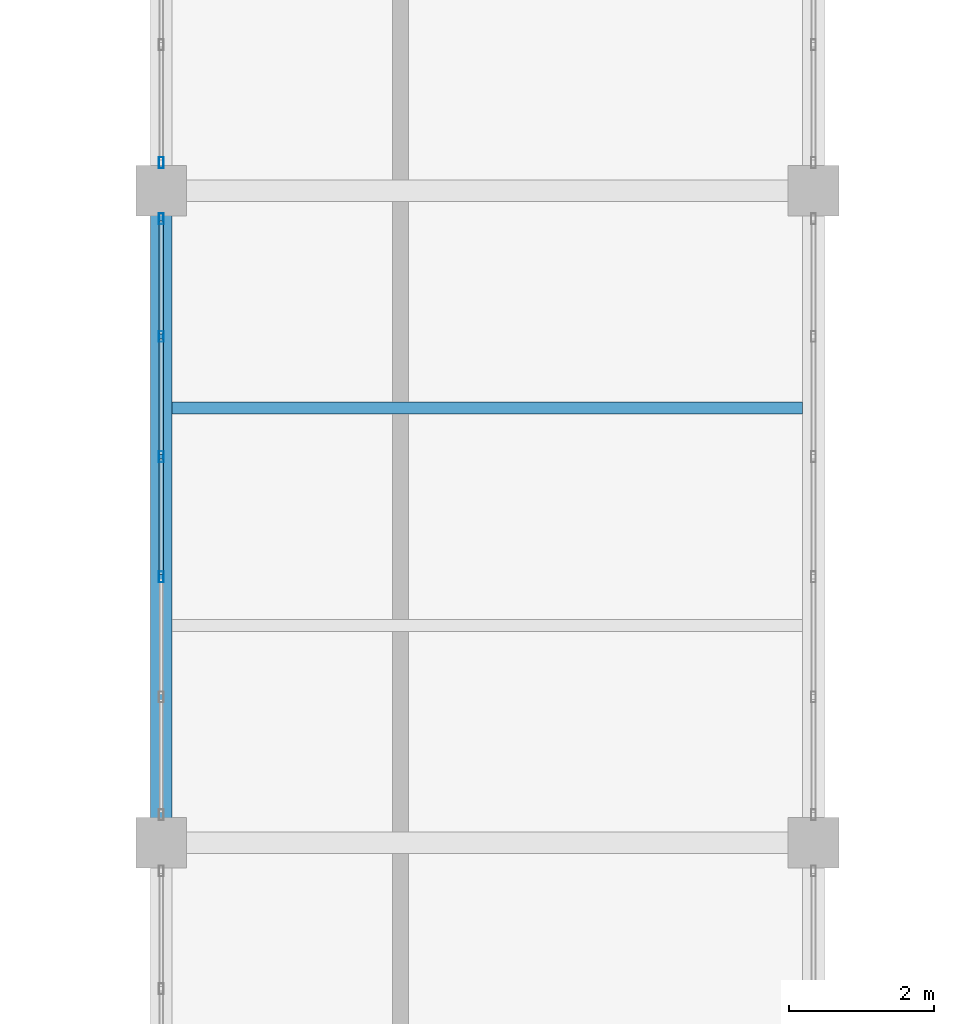
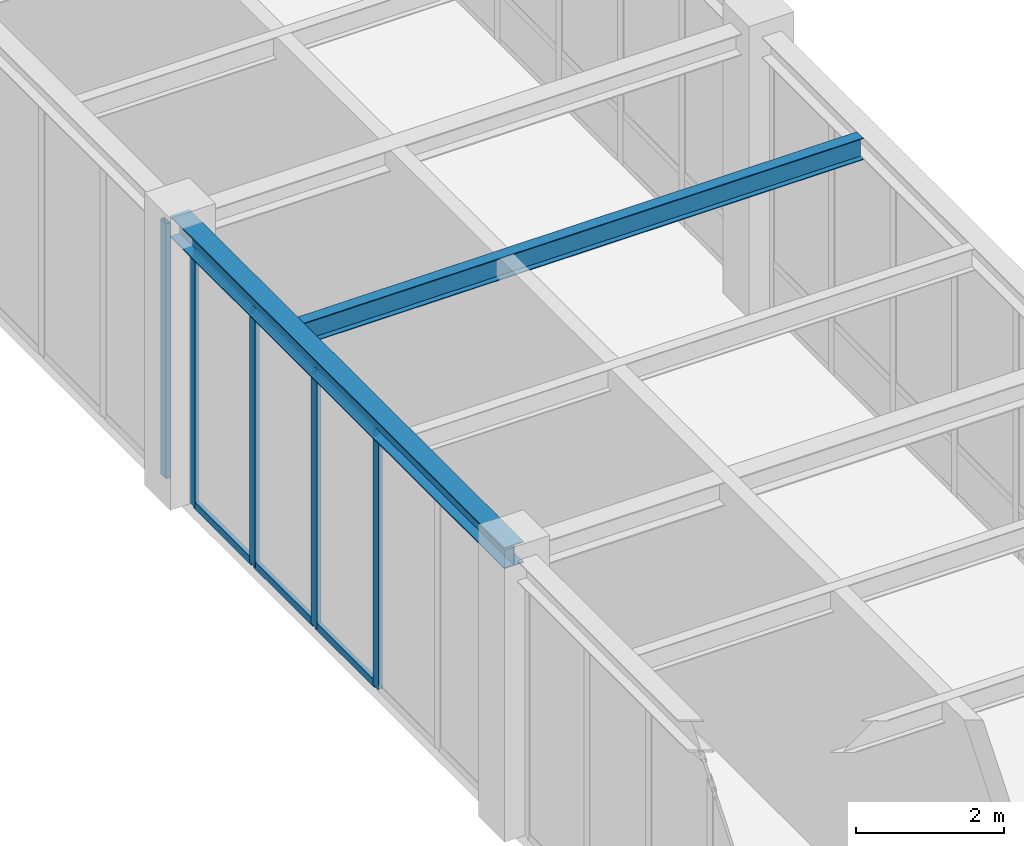
# One storey, part 46 of 92: 11 members, 2 beams, 2 elements without a shape of their own.
"""IFC4 building model written with IfcOpenShell, lengths in metres."""

from ifc_helpers import new_model, si_unit, direction, frame, origin, origin_2d, place, context, subcontext, project, spatial, hollow_rectangle, i_section, extrude, material, material_profile, profile_set, type_object, element, aggregate, save


model = new_model("IFC4")

# Units and contexts
model_context = context("Model", 3, precision=1e-05, world=origin(), true_north=direction((0.0, 1.0)))
body_context = subcontext(model_context, "Body", "Model", "MODEL_VIEW")
ifc_project = project(units=[si_unit("LENGTHUNIT", "METRE"), si_unit("AREAUNIT", "SQUARE_METRE"), si_unit("VOLUMEUNIT", "CUBIC_METRE"), si_unit("PLANEANGLEUNIT", "RADIAN"), si_unit("MASSUNIT", "GRAM", prefix="KILO")], contexts=[model_context])

# Site, building, storey
site_placement = place(None, origin())
site = spatial("IfcSite", under=ifc_project, at=site_placement, CompositionType="ELEMENT")
building_placement = place(site_placement, origin())
building = spatial("IfcBuilding", under=site, at=building_placement, Name="Lykobir Media Centre", CompositionType="ELEMENT")
storey_placement = place(building_placement, frame((0.0, 0.0, 5.39990234375)))
storey = spatial("IfcBuildingStorey", under=building, at=storey_placement, Name="L01", CompositionType="ELEMENT", Elevation=5.39990234375)

# Curtain wall, members
ifc_material_1 = material(Name="Anodized Aluminium AW-6060", Category="aluminium")
curtain_wall_type = type_object("IfcCurtainWallType", Name="CW-BRIDGE", PredefinedType="NOTDEFINED", material=ifc_material_1)
curtain_wall_1_placement = place(storey_placement, origin())
curtain_wall_1 = element("IfcCurtainWall", 1, at=curtain_wall_1_placement, inside=storey, type_object=curtain_wall_type, Name="Curtain wall CW2-L01-0039", PredefinedType="NOTDEFINED")
ifc_material_profile_1 = material_profile(ifc_material_1, hollow_rectangle(XDim=0.06494140625, YDim=0.14990234375, WallThickness=0.00341796875, at=origin_2d()), Name="ALU MULLION 65x150")
ifc_profile_set_1 = profile_set([ifc_material_profile_1], Name="Anodized Aluminium AW-6060")
member_type_1 = type_object("IfcMemberType", Name="CWM-150", PredefinedType="MULLION", material=ifc_profile_set_1)
member_1_placement = place(storey_placement, frame((90.0, 39.6708984375, 0.0), z_axis=(0.0, 0.0, 1.0), x_axis=(-1.0, 0.0, 0.0)))
member_1 = element("IfcMember", 2, at=member_1_placement, type_object=member_type_1, Name="CW2-L01-0039 mullion 3", PredefinedType="MULLION", context=body_context, shape_type="SweptSolid", body=[
    extrude(hollow_rectangle(XDim=0.06494140625, YDim=0.14990234375, WallThickness=0.00341796875, at=origin_2d()), origin(), (0.0, 0.0, 1.0), 4.195068359375),
])
member_2_placement = place(storey_placement, frame((90.0, 41.3291015625, 0.0), z_axis=(0.0, 0.0, 1.0), x_axis=(-1.0, 0.0, 0.0)))
member_2 = element("IfcMember", 3, at=member_2_placement, type_object=member_type_1, Name="CW2-L01-0039 mullion 4", PredefinedType="MULLION", context=body_context, shape_type="SweptSolid", body=[
    extrude(hollow_rectangle(XDim=0.06494140625, YDim=0.14990234375, WallThickness=0.00341796875, at=origin_2d()), origin(), (0.0, 0.0, 1.0), 4.195068359375),
])
member_3_placement = place(storey_placement, frame((90.0, 42.987060546875, 0.0), z_axis=(0.0, 0.0, 1.0), x_axis=(-1.0, 0.0, 0.0)))
member_3 = element("IfcMember", 4, at=member_3_placement, type_object=member_type_1, Name="CW2-L01-0039 mullion 5", PredefinedType="MULLION", context=body_context, shape_type="SweptSolid", body=[
    extrude(hollow_rectangle(XDim=0.06494140625, YDim=0.14990234375, WallThickness=0.00341796875, at=origin_2d()), origin(), (0.0, 0.0, 1.0), 4.195068359375),
])
member_4_placement = place(storey_placement, frame((90.0, 44.612548828125, 0.0), z_axis=(0.0, 0.0, 1.0), x_axis=(-1.0, 0.0, 0.0)))
member_4 = element("IfcMember", 5, at=member_4_placement, type_object=member_type_1, Name="CW2-L01-0039 mullion 6", PredefinedType="MULLION", context=body_context, shape_type="SweptSolid", body=[
    extrude(hollow_rectangle(XDim=0.06494140625, YDim=0.14990234375, WallThickness=0.00341796875, at=origin_2d()), origin(), (0.0, 0.0, 1.0), 4.195068359375),
])

# Curtain wall, member
curtain_wall_2_placement = place(storey_placement, origin())
curtain_wall_2 = element("IfcCurtainWall", 6, at=curtain_wall_2_placement, inside=storey, type_object=curtain_wall_type, Name="Curtain wall CW2-L01-0040", PredefinedType="NOTDEFINED")
member_5_placement = place(storey_placement, frame((90.0, 45.387451171875, 0.0), z_axis=(0.0, 0.0, 1.0), x_axis=(-1.0, 0.0, 0.0)))
member_5 = element("IfcMember", 7, at=member_5_placement, type_object=member_type_1, Name="CW2-L01-0040 mullion 1", PredefinedType="MULLION", context=body_context, shape_type="SweptSolid", body=[
    extrude(hollow_rectangle(XDim=0.06494140625, YDim=0.14990234375, WallThickness=0.00341796875, at=origin_2d()), origin(), (0.0, 0.0, 1.0), 4.195068359375),
])
aggregate(curtain_wall_2, [member_5])

# Member
ifc_material_profile_2 = material_profile(ifc_material_1, hollow_rectangle(XDim=0.06494140625, YDim=0.1201171875, WallThickness=0.0029296875, at=origin_2d()), Name="ALU TRANSOM 65x120")
ifc_profile_set_2 = profile_set([ifc_material_profile_2], Name="Anodized Aluminium AW-6060")
member_type_2 = type_object("IfcMemberType", Name="CWT-120", PredefinedType="USERDEFINED", material=ifc_profile_set_2)
member_6_placement = place(storey_placement, frame((90.0, 39.70361328125, 0.03271484375), z_axis=(0.0, 1.0, 0.0), x_axis=(-1.0, 0.0, 0.0)))
member_6 = element("IfcMember", 8, at=member_6_placement, type_object=member_type_2, Name="CW2-L01-0039 transom 3.1", ObjectType="TRANSOM", PredefinedType="USERDEFINED", context=body_context, shape_type="SweptSolid", body=[
    extrude(hollow_rectangle(XDim=0.06494140625, YDim=0.1201171875, WallThickness=0.0029296875, at=origin_2d()), origin(), (0.0, 0.0, 1.0), 1.5927734375),
])

member_7_placement = place(storey_placement, frame((90.0, 39.70361328125, 4.16259765625), z_axis=(0.0, 1.0, 0.0), x_axis=(-1.0, 0.0, 0.0)))
member_7 = element("IfcMember", 9, at=member_7_placement, type_object=member_type_2, Name="CW2-L01-0039 transom 3.2", ObjectType="TRANSOM", PredefinedType="USERDEFINED", context=body_context, shape_type="SweptSolid", body=[
    extrude(hollow_rectangle(XDim=0.06494140625, YDim=0.1201171875, WallThickness=0.0029296875, at=origin_2d()), origin(), (0.0, 0.0, 1.0), 1.5927734375),
])

member_8_placement = place(storey_placement, frame((90.0, 41.361572265625, 0.03271484375), z_axis=(0.0, 1.0, 0.0), x_axis=(-1.0, 0.0, 0.0)))
member_8 = element("IfcMember", 10, at=member_8_placement, type_object=member_type_2, Name="CW2-L01-0039 transom 4.1", ObjectType="TRANSOM", PredefinedType="USERDEFINED", context=body_context, shape_type="SweptSolid", body=[
    extrude(hollow_rectangle(XDim=0.06494140625, YDim=0.1201171875, WallThickness=0.0029296875, at=origin_2d()), origin(), (0.0, 0.0, 1.0), 1.593017578125),
])

member_9_placement = place(storey_placement, frame((90.0, 41.361572265625, 4.16259765625), z_axis=(0.0, 1.0, 0.0), x_axis=(-1.0, 0.0, 0.0)))
member_9 = element("IfcMember", 11, at=member_9_placement, type_object=member_type_2, Name="CW2-L01-0039 transom 4.2", ObjectType="TRANSOM", PredefinedType="USERDEFINED", context=body_context, shape_type="SweptSolid", body=[
    extrude(hollow_rectangle(XDim=0.06494140625, YDim=0.1201171875, WallThickness=0.0029296875, at=origin_2d()), origin(), (0.0, 0.0, 1.0), 1.593017578125),
])

member_10_placement = place(storey_placement, frame((90.0, 43.01953125, 0.03271484375), z_axis=(0.0, 1.0, 0.0), x_axis=(-1.0, 0.0, 0.0)))
member_10 = element("IfcMember", 12, at=member_10_placement, type_object=member_type_2, Name="CW2-L01-0039 transom 5.1", ObjectType="TRANSOM", PredefinedType="USERDEFINED", context=body_context, shape_type="SweptSolid", body=[
    extrude(hollow_rectangle(XDim=0.06494140625, YDim=0.1201171875, WallThickness=0.0029296875, at=origin_2d()), origin(), (0.0, 0.0, 1.0), 1.560546875),
])

member_11_placement = place(storey_placement, frame((90.0, 43.01953125, 4.16259765625), z_axis=(0.0, 1.0, 0.0), x_axis=(-1.0, 0.0, 0.0)))
member_11 = element("IfcMember", 13, at=member_11_placement, type_object=member_type_2, Name="CW2-L01-0039 transom 5.2", ObjectType="TRANSOM", PredefinedType="USERDEFINED", context=body_context, shape_type="SweptSolid", body=[
    extrude(hollow_rectangle(XDim=0.06494140625, YDim=0.1201171875, WallThickness=0.0029296875, at=origin_2d()), origin(), (0.0, 0.0, 1.0), 1.560546875),
])

aggregate(curtain_wall_1, [member_1, member_2, member_3, member_4, member_6, member_7, member_8, member_9, member_10, member_11])

# Beams
ifc_material_2 = material(Name="Steel S355", Category="steel")
ifc_material_profile_3 = material_profile(ifc_material_2, i_section(OverallWidth=0.169921875, OverallDepth=0.360107421875, WebThickness=0.008056640625, FlangeThickness=0.0126953125, at=origin_2d()), Name="IPE 360")
ifc_profile_set_3 = profile_set([ifc_material_profile_3], Name="Steel S355")
beam_type_1 = type_object("IfcBeamType", Name="JS-IPE360", PredefinedType="JOIST", material=ifc_profile_set_3)
beam_1_placement = place(storey_placement, frame((90.14990234375, 42.0, 4.380126953125), z_axis=(1.0, 0.0, 0.0), x_axis=(0.0, 1.0, 0.0)))
element("IfcBeam", 14, at=beam_1_placement, inside=storey, type_object=beam_type_1, Name="Beam BM-L01-0902-0420-0988-0420-978", PredefinedType="JOIST", context=body_context, shape_type="SweptSolid", body=[
    extrude(i_section(OverallWidth=0.169921875, OverallDepth=0.360107421875, WebThickness=0.008056640625, FlangeThickness=0.0126953125, at=origin_2d()), origin(), (0.0, 0.0, 1.0), 8.7001953125),
])
ifc_material_profile_4 = material_profile(ifc_material_2, i_section(OverallWidth=0.300048828125, OverallDepth=0.35009765625, WebThickness=0.010009765625, FlangeThickness=0.017578125, at=origin_2d()), Name="HEA 360")
ifc_profile_set_4 = profile_set([ifc_material_profile_4], Name="Steel S355")
beam_type_2 = type_object("IfcBeamType", Name="SP-HEA360-E", PredefinedType="SPANDREL", material=ifc_profile_set_4)
beam_2_placement = place(storey_placement, frame((90.0, 36.0, 4.385009765625), z_axis=(0.0, 1.0, 0.0), x_axis=(-1.0, 0.0, 0.0)))
element("IfcBeam", 15, at=beam_2_placement, inside=storey, type_object=beam_type_2, Name="Beam BM-L01-0900-0360-0900-0450-978", PredefinedType="SPANDREL", context=body_context, shape_type="SweptSolid", body=[
    extrude(i_section(OverallWidth=0.300048828125, OverallDepth=0.35009765625, WebThickness=0.010009765625, FlangeThickness=0.017578125, at=origin_2d()), origin(), (0.0, 0.0, 1.0), 9.0),
])

save(model, "model.ifc")
